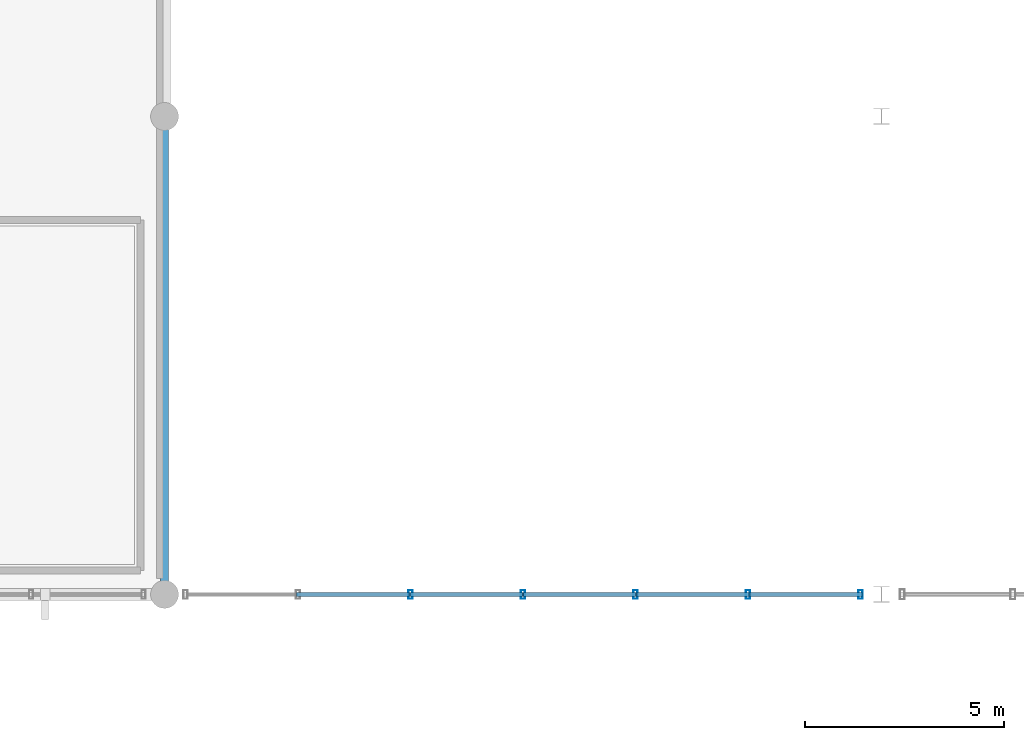
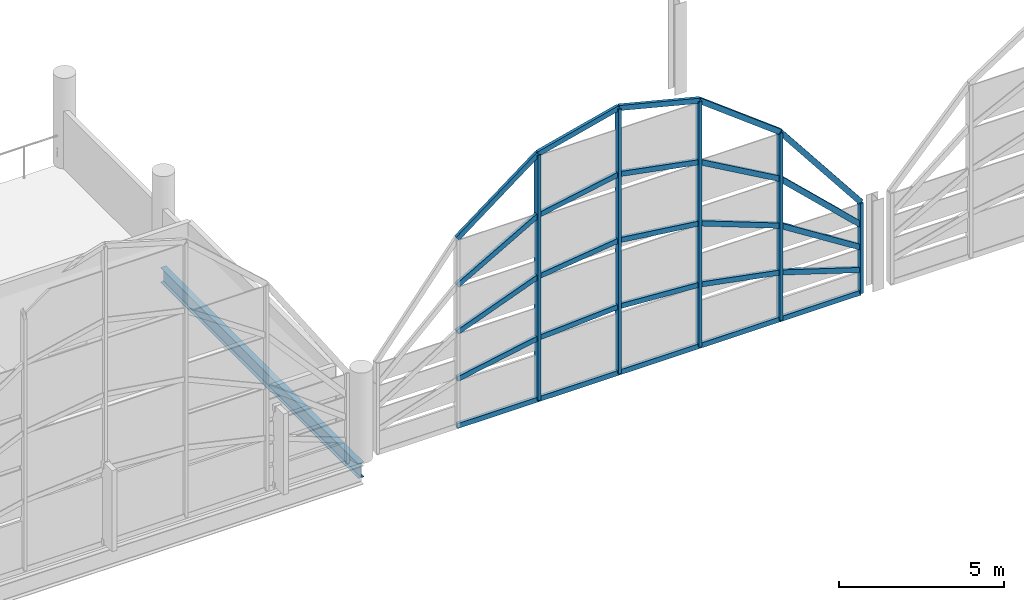
# One storey, part 33 of 116: 30 members, 1 beam, 1 element without a shape of its own.
"""IFC4 building model written with IfcOpenShell, lengths in metres."""

import ifcopenshell
import ifcopenshell.guid

model = None  # the IFC model being written
_history = None  # IfcOwnerHistory: only IFC2X3 demands one
_inside = {}  # id of a spatial element -> (the spatial element, [elements in it])
_under = {}  # id of a project, library or spatial element -> (it, [spatial elements below it])
_declared = {}  # id of a project -> (the project, [libraries it declares])
_typed = {}  # id of a type object -> (the type object, [elements of that type])
_made_of = {}  # id of a material, layer set ... -> (it, [elements and type objects made of it])


def new_model(schema):
    """Start an empty IFC model of exactly this schema.

    Asked for "IFC4X3", IfcOpenShell would pick the latest addendum, in which some entities
    have other attributes; the version numbers below select the first issue.
    IFC2X3 requires an IfcOwnerHistory on every rooted entity: one is made here for all.
    """
    global model, _history
    if schema == "IFC4X3":
        model = ifcopenshell.file(schema_version=(4, 3, 0, 0))
    else:
        model = ifcopenshell.file(schema=schema)
    _inside.clear()
    _under.clear()
    _declared.clear()
    _typed.clear()
    _made_of.clear()
    _history = None
    if model.schema == "IFC2X3":
        org = make("IfcOrganization", Name="unknown")
        user = make(
            "IfcPersonAndOrganization",
            ThePerson=make("IfcPerson", FamilyName="unknown"),
            TheOrganization=org,
        )
        app = make(
            "IfcApplication",
            ApplicationDeveloper=org,
            Version="unknown",
            ApplicationFullName="unknown",
            ApplicationIdentifier="unknown",
        )
        _history = make(
            "IfcOwnerHistory",
            OwningUser=user,
            OwningApplication=app,
            ChangeAction="ADDED",
            CreationDate=0,
        )
    return model


def make(cls, **values):
    """One entity of the class cls with the attributes given. An attribute that is None is left unset."""
    return model.create_entity(
        cls, **{name: value for name, value in values.items() if value is not None}
    )


def rooted(cls, **values):
    """An entity with a GlobalId (a new one), such as an element, a storey or a relation."""
    return make(cls, GlobalId=ifcopenshell.guid.new(), OwnerHistory=_history, **values)


def si_unit(unit_type, name, prefix=None):
    """IfcSIUnit, for example si_unit("LENGTHUNIT", "METRE", prefix="MILLI")."""
    return make("IfcSIUnit", UnitType=unit_type, Prefix=prefix, Name=name)


def assignment(units):
    """IfcUnitAssignment: the units of a project."""
    return None if units is None else make("IfcUnitAssignment", Units=units)


def point(xyz):
    """IfcCartesianPoint."""
    return None if xyz is None else make("IfcCartesianPoint", Coordinates=xyz)


def direction(xyz):
    """IfcDirection."""
    return None if xyz is None else make("IfcDirection", DirectionRatios=xyz)


def frame(location, z_axis=None, x_axis=None):
    """IfcAxis2Placement3D, a coordinate frame: its origin and axes. An axis left out is left unset."""
    return make(
        "IfcAxis2Placement3D",
        Location=point(location),
        Axis=direction(z_axis),
        RefDirection=direction(x_axis),
    )


def frame_2d(location, x_axis=None):
    """IfcAxis2Placement2D, a coordinate frame in the plane: its origin and x axis."""
    return make(
        "IfcAxis2Placement2D", Location=point(location), RefDirection=direction(x_axis)
    )


def origin():
    """The frame at (0, 0, 0) with its axes left unset."""
    return frame((0.0, 0.0, 0.0))


def origin_2d():
    """The frame at (0, 0) in the plane with its x axis left unset."""
    return frame_2d((0.0, 0.0))


def place(relative_to, where):
    """IfcLocalPlacement: puts the frame where relative to a parent placement (None: the world)."""
    return make(
        "IfcLocalPlacement", PlacementRelTo=relative_to, RelativePlacement=where
    )


def context(
    kind, dimensions, precision=None, world=None, true_north=None, identifier=None
):
    """IfcGeometricRepresentationContext, for example the 3D "Model" context."""
    return make(
        "IfcGeometricRepresentationContext",
        ContextIdentifier=identifier,
        ContextType=kind,
        CoordinateSpaceDimension=dimensions,
        Precision=precision,
        WorldCoordinateSystem=world,
        TrueNorth=true_north,
    )


def subcontext(parent, identifier, kind, view, scale=None):
    """IfcGeometricRepresentationSubContext, for example "Body" below "Model"."""
    return make(
        "IfcGeometricRepresentationSubContext",
        ContextIdentifier=identifier,
        ContextType=kind,
        ParentContext=parent,
        TargetScale=scale,
        TargetView=view,
    )


def project(units=None, contexts=None):
    """IfcProject with its units and contexts."""
    return rooted(
        "IfcProject",
        Name="project",
        RepresentationContexts=contexts,
        UnitsInContext=assignment(units),
    )


def spatial(cls, under=None, at=None, **own):
    """A site, building, storey or space (cls), placed at a placement, below another one or the project."""
    s = rooted(cls, ObjectPlacement=at, **own)
    if under is not None:
        _under.setdefault(under.id(), (under, []))[1].append(s)
    return s


def profile(cls, at=None, kind="AREA", **sizes):
    """A parametric profile (cls). Its sizes go by their IFC names, for example OverallWidth=200.0."""
    return make(cls, ProfileType=kind, Position=at, **sizes)


def hollow_rectangle(**sizes):
    """IfcRectangleHollowProfileDef."""
    return profile("IfcRectangleHollowProfileDef", **sizes)


def i_section(**sizes):
    """IfcIShapeProfileDef."""
    return profile("IfcIShapeProfileDef", **sizes)


def extrude(swept, where, along, depth):
    """IfcExtrudedAreaSolid: the profile swept, set in the frame where, extruded along a direction by depth."""
    return make(
        "IfcExtrudedAreaSolid",
        SweptArea=swept,
        Position=where,
        ExtrudedDirection=direction(along),
        Depth=depth,
    )


def shape(context_of_items, identifier, shape_type, items):
    """IfcShapeRepresentation: the items that make up one representation, for example the "Body"."""
    return make(
        "IfcShapeRepresentation",
        ContextOfItems=context_of_items,
        RepresentationIdentifier=identifier,
        RepresentationType=shape_type,
        Items=items,
    )


def material(Name=None, Category=None):
    """IfcMaterial."""
    return make("IfcMaterial", Name=Name, Category=Category)


def material_profile(
    of_material, cross_section, Name=None, Category=None, Priority=None
):
    """IfcMaterialProfile: a cross section and its material."""
    return make(
        "IfcMaterialProfile",
        Name=Name,
        Material=of_material,
        Profile=cross_section,
        Priority=Priority,
        Category=Category,
    )


def profile_set(profiles, Name=None, composite=None):
    """IfcMaterialProfileSet."""
    return make(
        "IfcMaterialProfileSet",
        Name=Name,
        MaterialProfiles=profiles,
        CompositeProfile=composite,
    )


def made_of(thing, what):
    """Note that an element or type object is made of a material, layer set ...; save() writes the relation."""
    if what is not None:
        _made_of.setdefault(what.id(), (what, []))[1].append(thing)
    return thing


def type_object(cls, material=None, **own):
    """A type object (cls), such as IfcWallType, which elements share."""
    return made_of(rooted(cls, **own), material)


def element(
    cls,
    number,
    at=None,
    inside=None,
    cuts=None,
    type_object=None,
    material=None,
    context=None,
    identifier="Body",
    shape_type=None,
    held_by="IfcProductDefinitionShape",
    body=None,
    shapes=None,
    **own,
):
    """One element of the class cls, such as IfcWall. Its Tag is "e" and its number.

    at: its placement. inside: the storey or other place that contains it. cuts: it is an
    opening in that element (IfcRelVoidsElement). A single representation is given by context,
    identifier, shape_type and body (its items); several are given by shapes. held_by: the class
    of the entity that holds the representations. save() writes the other relations.
    """
    e = rooted(cls, Tag="e%d" % number, ObjectPlacement=at, **own)
    if body is not None:
        shapes = [shape(context, identifier, shape_type, body)]
    if shapes is not None:
        e.Representation = make(held_by, Representations=shapes)
    if inside is not None:
        _inside.setdefault(inside.id(), (inside, []))[1].append(e)
    if cuts is not None:
        rooted(
            "IfcRelVoidsElement", RelatingBuildingElement=cuts, RelatedOpeningElement=e
        )
    if type_object is not None:
        _typed.setdefault(type_object.id(), (type_object, []))[1].append(e)
    return made_of(e, material)


def aggregate(whole, parts):
    """IfcRelAggregates: a whole, such as a stair, and the parts it consists of."""
    return rooted("IfcRelAggregates", RelatingObject=whole, RelatedObjects=parts)


def save(model, path):
    """Write the relations noted so far, then the file.

    IfcRelAggregates (storeys below a building ...), IfcRelContainedInSpatialStructure (elements
    in a storey), IfcRelDefinesByType, IfcRelAssociatesMaterial and IfcRelDeclares: one each for
    every whole, place, type object, material and project.
    """
    for whole, parts in _under.values():
        aggregate(whole, parts)
    for where, things in _inside.values():
        rooted(
            "IfcRelContainedInSpatialStructure",
            RelatedElements=things,
            RelatingStructure=where,
        )
    for kind, things in _typed.values():
        rooted("IfcRelDefinesByType", RelatedObjects=things, RelatingType=kind)
    for what, things in _made_of.values():
        rooted("IfcRelAssociatesMaterial", RelatedObjects=things, RelatingMaterial=what)
    for by, libraries in _declared.values():
        rooted("IfcRelDeclares", RelatingContext=by, RelatedDefinitions=libraries)
    model.write(path)


model = new_model("IFC4")

# Units and contexts
model_context = context("Model", 3, precision=1e-05, world=origin(), true_north=direction((0.0, 1.0)))
body_context = subcontext(model_context, "Body", "Model", "MODEL_VIEW")
ifc_project = project(units=[si_unit("LENGTHUNIT", "METRE"), si_unit("AREAUNIT", "SQUARE_METRE"), si_unit("VOLUMEUNIT", "CUBIC_METRE"), si_unit("PLANEANGLEUNIT", "RADIAN"), si_unit("MASSUNIT", "GRAM", prefix="KILO")], contexts=[model_context])

# Site, building, storey
site_placement = place(None, origin())
site = spatial("IfcSite", under=ifc_project, at=site_placement, CompositionType="ELEMENT")
building_placement = place(site_placement, origin())
building = spatial("IfcBuilding", under=site, at=building_placement, Name="Chuanluo Vaults Station", CompositionType="ELEMENT")
storey_placement = place(building_placement, frame((0.0, 0.0, 10.800048828125)))
storey = spatial("IfcBuildingStorey", under=building, at=storey_placement, Name="L02", CompositionType="ELEMENT", Elevation=10.800048828125)

# Beam
ifc_material_1 = material(Name="Steel Q355C", Category="steel")
ifc_material_profile_1 = material_profile(ifc_material_1, i_section(OverallWidth=0.199951171875, OverallDepth=0.550048828125, WebThickness=0.010009765625, FlangeThickness=0.01611328125, FilletRadius=0.01806640625, at=origin_2d()))
ifc_profile_set_1 = profile_set([ifc_material_profile_1], Name="Steel Q355C")
beam_type = type_object("IfcBeamType", Name="BM-GRD-550", PredefinedType="USERDEFINED", material=ifc_profile_set_1)
beam_placement = place(storey_placement, frame((90.0, 18.0, -0.4951171875), z_axis=(0.0, 1.0, 0.0), x_axis=(-1.0, 0.0, 0.0)))
element("IfcBeam", 1, at=beam_placement, inside=storey, type_object=beam_type, Name="Floor girder BM:GY:L02:0628", ObjectType="GIRDER", PredefinedType="USERDEFINED", context=body_context, shape_type="SweptSolid", body=[
    extrude(i_section(OverallWidth=0.199951171875, OverallDepth=0.550048828125, WebThickness=0.010009765625, FlangeThickness=0.01611328125, FilletRadius=0.01806640625, at=origin_2d()), origin(), (0.0, 0.0, 1.0), 12.0),
])

# Curtain wall, members
ifc_material_2 = material(Name="Anodised aluminium 6063-T6", Category="aluminium")
curtain_wall_type = type_object("IfcCurtainWallType", Name="CW-SYS-20", PredefinedType="NOTDEFINED", material=ifc_material_2)
curtain_wall_placement = place(storey_placement, origin())
curtain_wall = element("IfcCurtainWall", 2, at=curtain_wall_placement, inside=storey, type_object=curtain_wall_type, Name="Vault V6 south arched curtain wall", PredefinedType="NOTDEFINED")
ifc_material_3 = material(Name="Anodised aluminium 6063-T6", Category="aluminium")
ifc_material_profile_2 = material_profile(ifc_material_3, hollow_rectangle(XDim=0.10498046875, YDim=0.219970703125, WallThickness=0.006103515625, at=origin_2d()))
ifc_profile_set_2 = profile_set([ifc_material_profile_2], Name="Anodised aluminium 6063-T6")
member_type_1 = type_object("IfcMemberType", Name="CWM-140", PredefinedType="MULLION", material=ifc_profile_set_2)
member_1_placement = place(storey_placement, frame((107.47509765625, 18.0, 0.0), z_axis=(0.0, 0.0, 1.0), x_axis=(-1.0, 0.0, 0.0)))
member_1 = element("IfcMember", 3, at=member_1_placement, type_object=member_type_1, Name="Vault V6 south arched curtain wall mullion 1", PredefinedType="MULLION", context=body_context, shape_type="SweptSolid", body=[
    extrude(hollow_rectangle(XDim=0.10498046875, YDim=0.219970703125, WallThickness=0.006103515625, at=origin_2d()), origin(), (0.0, 0.0, 1.0), 3.349853515625),
])
member_2_placement = place(storey_placement, frame((104.64990234375, 18.0, 0.0), z_axis=(0.0, 0.0, 1.0), x_axis=(-1.0, 0.0, 0.0)))
member_2 = element("IfcMember", 4, at=member_2_placement, type_object=member_type_1, Name="Vault V6 south arched curtain wall mullion 2", PredefinedType="MULLION", context=body_context, shape_type="SweptSolid", body=[
    extrude(hollow_rectangle(XDim=0.10498046875, YDim=0.219970703125, WallThickness=0.006103515625, at=origin_2d()), origin(), (0.0, 0.0, 1.0), 6.933349609375),
])
member_3_placement = place(storey_placement, frame((101.824951171875, 18.0, 0.0), z_axis=(0.0, 0.0, 1.0), x_axis=(-1.0, 0.0, 0.0)))
member_3 = element("IfcMember", 5, at=member_3_placement, type_object=member_type_1, Name="Vault V6 south arched curtain wall mullion 3", PredefinedType="MULLION", context=body_context, shape_type="SweptSolid", body=[
    extrude(hollow_rectangle(XDim=0.10498046875, YDim=0.219970703125, WallThickness=0.006103515625, at=origin_2d()), origin(), (0.0, 0.0, 1.0), 9.083251953125),
])
member_4_placement = place(storey_placement, frame((99.0, 18.0, 0.0), z_axis=(0.0, 0.0, 1.0), x_axis=(-1.0, 0.0, 0.0)))
member_4 = element("IfcMember", 6, at=member_4_placement, type_object=member_type_1, Name="Vault V6 south arched curtain wall mullion 4", PredefinedType="MULLION", context=body_context, shape_type="SweptSolid", body=[
    extrude(hollow_rectangle(XDim=0.10498046875, YDim=0.219970703125, WallThickness=0.006103515625, at=origin_2d()), origin(), (0.0, 0.0, 1.0), 9.800048828125),
])
member_5_placement = place(storey_placement, frame((96.175048828125, 18.0, 0.0), z_axis=(0.0, 0.0, 1.0), x_axis=(-1.0, 0.0, 0.0)))
member_5 = element("IfcMember", 7, at=member_5_placement, type_object=member_type_1, Name="Vault V6 south arched curtain wall mullion 5", PredefinedType="MULLION", context=body_context, shape_type="SweptSolid", body=[
    extrude(hollow_rectangle(XDim=0.10498046875, YDim=0.219970703125, WallThickness=0.006103515625, at=origin_2d()), origin(), (0.0, 0.0, 1.0), 9.083251953125),
])
ifc_material_4 = material(Name="Anodised aluminium 6063-T6", Category="aluminium")
ifc_material_profile_3 = material_profile(ifc_material_4, hollow_rectangle(XDim=0.10498046875, YDim=0.18505859375, WallThickness=0.0048828125, at=origin_2d()))
ifc_profile_set_3 = profile_set([ifc_material_profile_3], Name="Anodised aluminium 6063-T6")
member_type_2 = type_object("IfcMemberType", Name="CWT-110", PredefinedType="USERDEFINED", material=ifc_profile_set_3)
member_6_placement = place(storey_placement, frame((107.47509765625, 18.0, 0.0), z_axis=(-1.0, 0.0, 0.0), x_axis=(0.0, -1.0, 0.0)))
member_6 = element("IfcMember", 8, at=member_6_placement, type_object=member_type_2, Name="Vault V6 south arched curtain wall transom 1.1", ObjectType="TRANSOM", PredefinedType="USERDEFINED", context=body_context, shape_type="SweptSolid", body=[
    extrude(hollow_rectangle(XDim=0.10498046875, YDim=0.18505859375, WallThickness=0.0048828125, at=origin_2d()), origin(), (0.0, 0.0, 1.0), 2.8251953125),
])
member_7_placement = place(storey_placement, frame((107.47509765625, 18.0, 0.83740234375), z_axis=(-0.953234689536, 0.0, 0.302231081568), x_axis=(0.0, -1.0, 0.0)))
member_7 = element("IfcMember", 9, at=member_7_placement, type_object=member_type_2, Name="Vault V6 south arched curtain wall transom 1.2", ObjectType="TRANSOM", PredefinedType="USERDEFINED", context=body_context, shape_type="SweptSolid", body=[
    extrude(hollow_rectangle(XDim=0.10498046875, YDim=0.18505859375, WallThickness=0.0048828125, at=origin_2d()), origin(), (0.0, 0.0, 1.0), 2.9638671875),
])
member_8_placement = place(storey_placement, frame((107.47509765625, 18.0, 1.675048828125), z_axis=(-0.844519848764, 0.0, 0.535524252526), x_axis=(0.0, -1.0, 0.0)))
member_8 = element("IfcMember", 10, at=member_8_placement, type_object=member_type_2, Name="Vault V6 south arched curtain wall transom 1.3", ObjectType="TRANSOM", PredefinedType="USERDEFINED", context=body_context, shape_type="SweptSolid", body=[
    extrude(hollow_rectangle(XDim=0.10498046875, YDim=0.18505859375, WallThickness=0.0048828125, at=origin_2d()), origin(), (0.0, 0.0, 1.0), 3.34521484375),
])
member_9_placement = place(storey_placement, frame((107.47509765625, 18.0, 2.512451171875), z_axis=(-0.724542809438, 0.0, 0.68922980006), x_axis=(0.0, -1.0, 0.0)))
member_9 = element("IfcMember", 11, at=member_9_placement, type_object=member_type_2, Name="Vault V6 south arched curtain wall transom 1.4", ObjectType="TRANSOM", PredefinedType="USERDEFINED", context=body_context, shape_type="SweptSolid", body=[
    extrude(hollow_rectangle(XDim=0.10498046875, YDim=0.18505859375, WallThickness=0.0048828125, at=origin_2d()), origin(), (0.0, 0.0, 1.0), 3.899169921875),
])
member_10_placement = place(storey_placement, frame((107.47509765625, 18.0, 3.349853515625), z_axis=(-0.619120273316, 0.0, 0.785296177992), x_axis=(0.0, -1.0, 0.0)))
member_10 = element("IfcMember", 12, at=member_10_placement, type_object=member_type_2, Name="Vault V6 south arched curtain wall transom 1.5", ObjectType="TRANSOM", PredefinedType="USERDEFINED", context=body_context, shape_type="SweptSolid", body=[
    extrude(hollow_rectangle(XDim=0.10498046875, YDim=0.18505859375, WallThickness=0.0048828125, at=origin_2d()), origin(), (0.0, 0.0, 1.0), 4.563232421875),
])
member_11_placement = place(storey_placement, frame((104.64990234375, 18.0, 0.0), z_axis=(-1.0, 0.0, 0.0), x_axis=(0.0, -1.0, 0.0)))
member_11 = element("IfcMember", 13, at=member_11_placement, type_object=member_type_2, Name="Vault V6 south arched curtain wall transom 2.1", ObjectType="TRANSOM", PredefinedType="USERDEFINED", context=body_context, shape_type="SweptSolid", body=[
    extrude(hollow_rectangle(XDim=0.10498046875, YDim=0.18505859375, WallThickness=0.0048828125, at=origin_2d()), origin(), (0.0, 0.0, 1.0), 2.824951171875),
])
member_12_placement = place(storey_placement, frame((104.64990234375, 18.0, 1.733154296875), z_axis=(-0.982369763002, 0.0, 0.186948251502), x_axis=(0.0, -1.0, 0.0)))
member_12 = element("IfcMember", 14, at=member_12_placement, type_object=member_type_2, Name="Vault V6 south arched curtain wall transom 2.2", ObjectType="TRANSOM", PredefinedType="USERDEFINED", context=body_context, shape_type="SweptSolid", body=[
    extrude(hollow_rectangle(XDim=0.10498046875, YDim=0.18505859375, WallThickness=0.0048828125, at=origin_2d()), origin(), (0.0, 0.0, 1.0), 2.875732421875),
])
member_13_placement = place(storey_placement, frame((104.64990234375, 18.0, 3.466552734375), z_axis=(-0.934622023127, 0.0, 0.35564262102), x_axis=(0.0, -1.0, 0.0)))
member_13 = element("IfcMember", 15, at=member_13_placement, type_object=member_type_2, Name="Vault V6 south arched curtain wall transom 2.3", ObjectType="TRANSOM", PredefinedType="USERDEFINED", context=body_context, shape_type="SweptSolid", body=[
    extrude(hollow_rectangle(XDim=0.10498046875, YDim=0.18505859375, WallThickness=0.0048828125, at=origin_2d()), origin(), (0.0, 0.0, 1.0), 3.0224609375),
])
member_14_placement = place(storey_placement, frame((104.64990234375, 18.0, 5.199951171875), z_axis=(-0.868469373558, 0.0, 0.495742823641), x_axis=(0.0, -1.0, 0.0)))
member_14 = element("IfcMember", 16, at=member_14_placement, type_object=member_type_2, Name="Vault V6 south arched curtain wall transom 2.4", ObjectType="TRANSOM", PredefinedType="USERDEFINED", context=body_context, shape_type="SweptSolid", body=[
    extrude(hollow_rectangle(XDim=0.10498046875, YDim=0.18505859375, WallThickness=0.0048828125, at=origin_2d()), origin(), (0.0, 0.0, 1.0), 3.252685546875),
])
member_15_placement = place(storey_placement, frame((104.64990234375, 18.0, 6.933349609375), z_axis=(-0.795763128409, 0.0, 0.605607994881), x_axis=(0.0, -1.0, 0.0)))
member_15 = element("IfcMember", 17, at=member_15_placement, type_object=member_type_2, Name="Vault V6 south arched curtain wall transom 2.5", ObjectType="TRANSOM", PredefinedType="USERDEFINED", context=body_context, shape_type="SweptSolid", body=[
    extrude(hollow_rectangle(XDim=0.10498046875, YDim=0.18505859375, WallThickness=0.0048828125, at=origin_2d()), origin(), (0.0, 0.0, 1.0), 3.550048828125),
])
member_16_placement = place(storey_placement, frame((101.824951171875, 18.0, 0.0), z_axis=(-1.0, 0.0, 0.0), x_axis=(0.0, -1.0, 0.0)))
member_16 = element("IfcMember", 18, at=member_16_placement, type_object=member_type_2, Name="Vault V6 south arched curtain wall transom 3.1", ObjectType="TRANSOM", PredefinedType="USERDEFINED", context=body_context, shape_type="SweptSolid", body=[
    extrude(hollow_rectangle(XDim=0.10498046875, YDim=0.18505859375, WallThickness=0.0048828125, at=origin_2d()), origin(), (0.0, 0.0, 1.0), 2.824951171875),
])
member_17_placement = place(storey_placement, frame((101.824951171875, 18.0, 2.270751953125), z_axis=(-0.997994087104, 0.0, 0.063307204212), x_axis=(0.0, -1.0, 0.0)))
member_17 = element("IfcMember", 19, at=member_17_placement, type_object=member_type_2, Name="Vault V6 south arched curtain wall transom 3.2", ObjectType="TRANSOM", PredefinedType="USERDEFINED", context=body_context, shape_type="SweptSolid", body=[
    extrude(hollow_rectangle(XDim=0.10498046875, YDim=0.18505859375, WallThickness=0.0048828125, at=origin_2d()), origin(), (0.0, 0.0, 1.0), 2.83056640625),
])
member_18_placement = place(storey_placement, frame((101.824951171875, 18.0, 4.54150390625), z_axis=(-0.992048008585, 0.0, 0.125860036004), x_axis=(0.0, -1.0, 0.0)))
member_18 = element("IfcMember", 20, at=member_18_placement, type_object=member_type_2, Name="Vault V6 south arched curtain wall transom 3.3", ObjectType="TRANSOM", PredefinedType="USERDEFINED", context=body_context, shape_type="SweptSolid", body=[
    extrude(hollow_rectangle(XDim=0.10498046875, YDim=0.18505859375, WallThickness=0.0048828125, at=origin_2d()), origin(), (0.0, 0.0, 1.0), 2.84765625),
])
member_19_placement = place(storey_placement, frame((101.824951171875, 18.0, 6.8125), z_axis=(-0.982385351784, 0.0, 0.186866317455), x_axis=(0.0, -1.0, 0.0)))
member_19 = element("IfcMember", 21, at=member_19_placement, type_object=member_type_2, Name="Vault V6 south arched curtain wall transom 3.4", ObjectType="TRANSOM", PredefinedType="USERDEFINED", context=body_context, shape_type="SweptSolid", body=[
    extrude(hollow_rectangle(XDim=0.10498046875, YDim=0.18505859375, WallThickness=0.0048828125, at=origin_2d()), origin(), (0.0, 0.0, 1.0), 2.87548828125),
])
member_20_placement = place(storey_placement, frame((101.824951171875, 18.0, 9.083251953125), z_axis=(-0.969284041054, 0.0, 0.245943993132), x_axis=(0.0, -1.0, 0.0)))
member_20 = element("IfcMember", 22, at=member_20_placement, type_object=member_type_2, Name="Vault V6 south arched curtain wall transom 3.5", ObjectType="TRANSOM", PredefinedType="USERDEFINED", context=body_context, shape_type="SweptSolid", body=[
    extrude(hollow_rectangle(XDim=0.10498046875, YDim=0.18505859375, WallThickness=0.0048828125, at=origin_2d()), origin(), (0.0, 0.0, 1.0), 2.91455078125),
])
member_21_placement = place(storey_placement, frame((99.0, 18.0, 0.0), z_axis=(-1.0, 0.0, 0.0), x_axis=(0.0, -1.0, 0.0)))
member_21 = element("IfcMember", 23, at=member_21_placement, type_object=member_type_2, Name="Vault V6 south arched curtain wall transom 4.1", ObjectType="TRANSOM", PredefinedType="USERDEFINED", context=body_context, shape_type="SweptSolid", body=[
    extrude(hollow_rectangle(XDim=0.10498046875, YDim=0.18505859375, WallThickness=0.0048828125, at=origin_2d()), origin(), (0.0, 0.0, 1.0), 2.824951171875),
])
member_22_placement = place(storey_placement, frame((99.0, 18.0, 2.449951171875), z_axis=(-0.997994087104, 0.0, -0.063307204212), x_axis=(0.0, -1.0, 0.0)))
member_22 = element("IfcMember", 24, at=member_22_placement, type_object=member_type_2, Name="Vault V6 south arched curtain wall transom 4.2", ObjectType="TRANSOM", PredefinedType="USERDEFINED", context=body_context, shape_type="SweptSolid", body=[
    extrude(hollow_rectangle(XDim=0.10498046875, YDim=0.18505859375, WallThickness=0.0048828125, at=origin_2d()), origin(), (0.0, 0.0, 1.0), 2.83056640625),
])
member_23_placement = place(storey_placement, frame((99.0, 18.0, 4.89990234375), z_axis=(-0.992048008585, 0.0, -0.125860036004), x_axis=(0.0, -1.0, 0.0)))
member_23 = element("IfcMember", 25, at=member_23_placement, type_object=member_type_2, Name="Vault V6 south arched curtain wall transom 4.3", ObjectType="TRANSOM", PredefinedType="USERDEFINED", context=body_context, shape_type="SweptSolid", body=[
    extrude(hollow_rectangle(XDim=0.10498046875, YDim=0.18505859375, WallThickness=0.0048828125, at=origin_2d()), origin(), (0.0, 0.0, 1.0), 2.84765625),
])
member_24_placement = place(storey_placement, frame((99.0, 18.0, 7.349853515625), z_axis=(-0.982385351784, 0.0, -0.186866317455), x_axis=(0.0, -1.0, 0.0)))
member_24 = element("IfcMember", 26, at=member_24_placement, type_object=member_type_2, Name="Vault V6 south arched curtain wall transom 4.4", ObjectType="TRANSOM", PredefinedType="USERDEFINED", context=body_context, shape_type="SweptSolid", body=[
    extrude(hollow_rectangle(XDim=0.10498046875, YDim=0.18505859375, WallThickness=0.0048828125, at=origin_2d()), origin(), (0.0, 0.0, 1.0), 2.87548828125),
])
member_25_placement = place(storey_placement, frame((99.0, 18.0, 9.800048828125), z_axis=(-0.969284041054, 0.0, -0.245943993132), x_axis=(0.0, -1.0, 0.0)))
member_25 = element("IfcMember", 27, at=member_25_placement, type_object=member_type_2, Name="Vault V6 south arched curtain wall transom 4.5", ObjectType="TRANSOM", PredefinedType="USERDEFINED", context=body_context, shape_type="SweptSolid", body=[
    extrude(hollow_rectangle(XDim=0.10498046875, YDim=0.18505859375, WallThickness=0.0048828125, at=origin_2d()), origin(), (0.0, 0.0, 1.0), 2.91455078125),
])
member_26_placement = place(storey_placement, frame((96.175048828125, 18.0, 0.0), z_axis=(-1.0, 0.0, 0.0), x_axis=(0.0, -1.0, 0.0)))
member_26 = element("IfcMember", 28, at=member_26_placement, type_object=member_type_2, Name="Vault V6 south arched curtain wall transom 5.1", ObjectType="TRANSOM", PredefinedType="USERDEFINED", context=body_context, shape_type="SweptSolid", body=[
    extrude(hollow_rectangle(XDim=0.10498046875, YDim=0.18505859375, WallThickness=0.0048828125, at=origin_2d()), origin(), (0.0, 0.0, 1.0), 2.824951171875),
])
member_27_placement = place(storey_placement, frame((96.175048828125, 18.0, 2.270751953125), z_axis=(-0.982369763002, 0.0, -0.186948251502), x_axis=(0.0, -1.0, 0.0)))
member_27 = element("IfcMember", 29, at=member_27_placement, type_object=member_type_2, Name="Vault V6 south arched curtain wall transom 5.2", ObjectType="TRANSOM", PredefinedType="USERDEFINED", context=body_context, shape_type="SweptSolid", body=[
    extrude(hollow_rectangle(XDim=0.10498046875, YDim=0.18505859375, WallThickness=0.0048828125, at=origin_2d()), origin(), (0.0, 0.0, 1.0), 2.875732421875),
])
member_28_placement = place(storey_placement, frame((96.175048828125, 18.0, 4.54150390625), z_axis=(-0.934622023127, 0.0, -0.35564262102), x_axis=(0.0, -1.0, 0.0)))
member_28 = element("IfcMember", 30, at=member_28_placement, type_object=member_type_2, Name="Vault V6 south arched curtain wall transom 5.3", ObjectType="TRANSOM", PredefinedType="USERDEFINED", context=body_context, shape_type="SweptSolid", body=[
    extrude(hollow_rectangle(XDim=0.10498046875, YDim=0.18505859375, WallThickness=0.0048828125, at=origin_2d()), origin(), (0.0, 0.0, 1.0), 3.0224609375),
])
member_29_placement = place(storey_placement, frame((96.175048828125, 18.0, 6.8125), z_axis=(-0.868469373558, 0.0, -0.495742823641), x_axis=(0.0, -1.0, 0.0)))
member_29 = element("IfcMember", 31, at=member_29_placement, type_object=member_type_2, Name="Vault V6 south arched curtain wall transom 5.4", ObjectType="TRANSOM", PredefinedType="USERDEFINED", context=body_context, shape_type="SweptSolid", body=[
    extrude(hollow_rectangle(XDim=0.10498046875, YDim=0.18505859375, WallThickness=0.0048828125, at=origin_2d()), origin(), (0.0, 0.0, 1.0), 3.252685546875),
])
member_30_placement = place(storey_placement, frame((96.175048828125, 18.0, 9.083251953125), z_axis=(-0.795763128409, 0.0, -0.605607994881), x_axis=(0.0, -1.0, 0.0)))
member_30 = element("IfcMember", 32, at=member_30_placement, type_object=member_type_2, Name="Vault V6 south arched curtain wall transom 5.5", ObjectType="TRANSOM", PredefinedType="USERDEFINED", context=body_context, shape_type="SweptSolid", body=[
    extrude(hollow_rectangle(XDim=0.10498046875, YDim=0.18505859375, WallThickness=0.0048828125, at=origin_2d()), origin(), (0.0, 0.0, 1.0), 3.550048828125),
])
aggregate(curtain_wall, [member_1, member_2, member_3, member_4, member_5, member_6, member_7, member_8, member_9, member_10, member_11, member_12, member_13, member_14, member_15, member_16, member_17, member_18, member_19, member_20, member_21, member_22, member_23, member_24, member_25, member_26, member_27, member_28, member_29, member_30])

save(model, "model.ifc")
